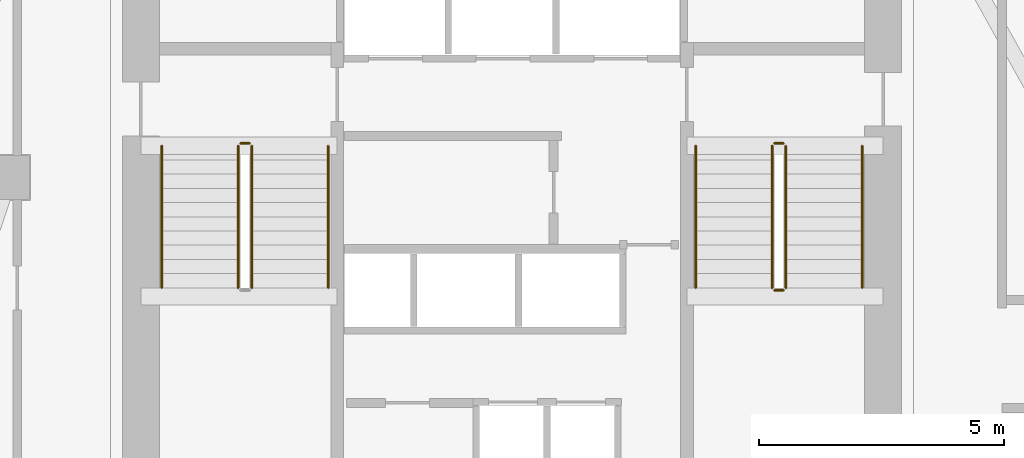
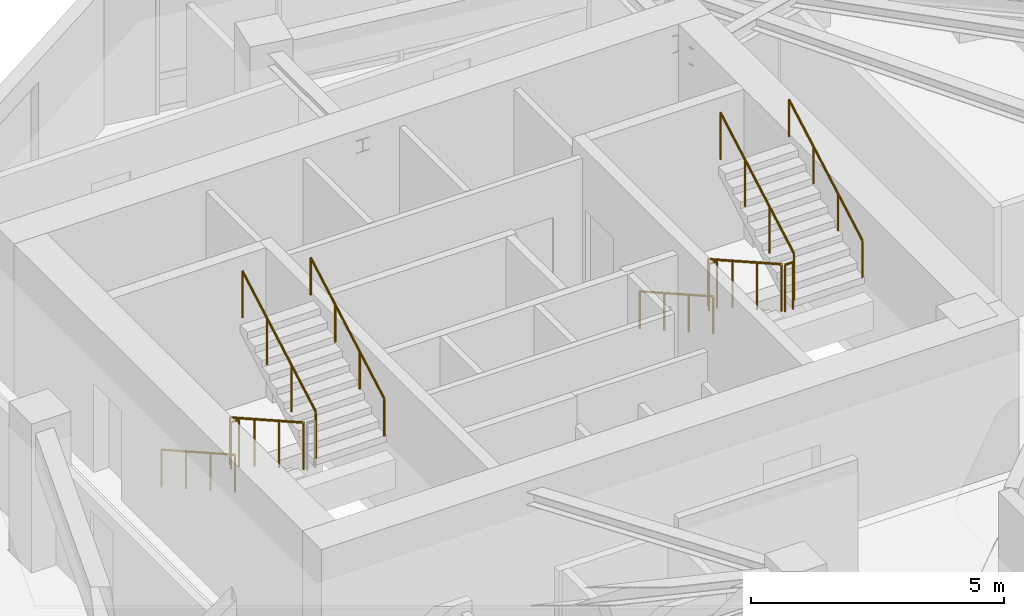
# One storey, part 10 of 10: 11 railings.
"""IFC4 building model written with IfcOpenShell, lengths in metres."""

from ifc_helpers import new_model, si_unit, direction, frame, origin, origin_2d, place, context, subcontext, project, spatial, circle, extrude, material, type_object, element, save


model = new_model("IFC4")

# Units and contexts
model_context = context("Model", 3, precision=1e-05, world=origin(), true_north=direction((0.0, 1.0)))
body_context = subcontext(model_context, "Body", "Model", "MODEL_VIEW")
ifc_project = project(units=[si_unit("LENGTHUNIT", "METRE"), si_unit("AREAUNIT", "SQUARE_METRE"), si_unit("VOLUMEUNIT", "CUBIC_METRE"), si_unit("PLANEANGLEUNIT", "RADIAN"), si_unit("MASSUNIT", "GRAM", prefix="KILO")], contexts=[model_context])

# Site, building, storey
site_placement = place(None, origin())
site = spatial("IfcSite", under=ifc_project, at=site_placement, CompositionType="ELEMENT")
building_placement = place(site_placement, origin())
building = spatial("IfcBuilding", under=site, at=building_placement, Name="Calvemar Wedge Station Tower", CompositionType="ELEMENT")
storey_placement = place(building_placement, frame((0.0, 0.0, 110.60009765625)))
storey = spatial("IfcBuildingStorey", under=building, at=storey_placement, Name="L26", CompositionType="ELEMENT", Elevation=110.60009765625)

# Railings
ifc_material_1 = material(Name="Stainless steel AISI 316L", Category="steel")
railing_type_1 = type_object("IfcRailingType", Name="RL-HANDRAIL-920", PredefinedType="HANDRAIL", material=ifc_material_1)
railing_1_placement = place(storey_placement, frame((16.64990234375, 41.14990234375, 0.16357421875)))
element("IfcRailing", 1, at=railing_1_placement, inside=storey, type_object=railing_type_1, Name="L26 ST-C1 stair handrail 1", PredefinedType="HANDRAIL", context=body_context, shape_type="SweptSolid", body=[
    extrude(circle(Radius=0.02392578125, at=origin_2d()), frame((0.0, 0.0, 0.89599609375), z_axis=(0.0, -0.870928581787, 0.491409610636), x_axis=(1.0, 0.0, 0.0)), (0.0, 0.0, 1.0), 3.32958984375),
    extrude(circle(Radius=0.02099609375, at=origin_2d()), origin(), (0.0, 0.0, 1.0), 0.871826171875),
    extrude(circle(Radius=0.02099609375, at=origin_2d()), frame((0.0, -0.966552734375, 0.54541015625)), (0.0, 0.0, 1.0), 0.871826171875),
    extrude(circle(Radius=0.02099609375, at=origin_2d()), frame((0.0, -1.933349609375, 1.0908203125)), (0.0, 0.0, 1.0), 0.871826171875),
    extrude(circle(Radius=0.02099609375, at=origin_2d()), frame((0.0, -2.89990234375, 1.63623046875)), (0.0, 0.0, 1.0), 0.871826171875),
])
railing_2_placement = place(storey_placement, frame((20.050048828125, 38.25, 1.963623046875)))
element("IfcRailing", 2, at=railing_2_placement, inside=storey, type_object=railing_type_1, Name="L26 ST-C1 stair handrail 2", PredefinedType="HANDRAIL", context=body_context, shape_type="SweptSolid", body=[
    extrude(circle(Radius=0.02392578125, at=origin_2d()), frame((0.0, 0.0, 0.89599609375), z_axis=(0.0, 0.870928581787, 0.491409610636), x_axis=(-1.0, 0.0, 0.0)), (0.0, 0.0, 1.0), 3.32958984375),
    extrude(circle(Radius=0.02099609375, at=origin_2d()), origin(), (0.0, 0.0, 1.0), 0.871826171875),
    extrude(circle(Radius=0.02099609375, at=origin_2d()), frame((0.0, 0.966552734375, 0.54541015625)), (0.0, 0.0, 1.0), 0.871826171875),
    extrude(circle(Radius=0.02099609375, at=origin_2d()), frame((0.0, 1.933349609375, 1.0908203125)), (0.0, 0.0, 1.0), 0.871826171875),
    extrude(circle(Radius=0.02099609375, at=origin_2d()), frame((0.0, 2.89990234375, 1.63623046875)), (0.0, 0.0, 1.0), 0.871826171875),
])
railing_3_placement = place(storey_placement, frame((27.550048828125, 41.14990234375, 0.16357421875)))
element("IfcRailing", 3, at=railing_3_placement, inside=storey, type_object=railing_type_1, Name="L26 ST-C2 stair handrail 1", PredefinedType="HANDRAIL", context=body_context, shape_type="SweptSolid", body=[
    extrude(circle(Radius=0.02392578125, at=origin_2d()), frame((0.0, 0.0, 0.89599609375), z_axis=(0.0, -0.870928581787, 0.491409610636), x_axis=(1.0, 0.0, 0.0)), (0.0, 0.0, 1.0), 3.32958984375),
    extrude(circle(Radius=0.02099609375, at=origin_2d()), origin(), (0.0, 0.0, 1.0), 0.871826171875),
    extrude(circle(Radius=0.02099609375, at=origin_2d()), frame((0.0, -0.966552734375, 0.54541015625)), (0.0, 0.0, 1.0), 0.871826171875),
    extrude(circle(Radius=0.02099609375, at=origin_2d()), frame((0.0, -1.933349609375, 1.0908203125)), (0.0, 0.0, 1.0), 0.871826171875),
    extrude(circle(Radius=0.02099609375, at=origin_2d()), frame((0.0, -2.89990234375, 1.63623046875)), (0.0, 0.0, 1.0), 0.871826171875),
])
railing_4_placement = place(storey_placement, frame((30.949951171875, 38.25, 1.963623046875)))
element("IfcRailing", 4, at=railing_4_placement, inside=storey, type_object=railing_type_1, Name="L26 ST-C2 stair handrail 2", PredefinedType="HANDRAIL", context=body_context, shape_type="SweptSolid", body=[
    extrude(circle(Radius=0.02392578125, at=origin_2d()), frame((0.0, 0.0, 0.89599609375), z_axis=(0.0, 0.870928581787, 0.491409610636), x_axis=(-1.0, 0.0, 0.0)), (0.0, 0.0, 1.0), 3.32958984375),
    extrude(circle(Radius=0.02099609375, at=origin_2d()), origin(), (0.0, 0.0, 1.0), 0.871826171875),
    extrude(circle(Radius=0.02099609375, at=origin_2d()), frame((0.0, 0.966552734375, 0.54541015625)), (0.0, 0.0, 1.0), 0.871826171875),
    extrude(circle(Radius=0.02099609375, at=origin_2d()), frame((0.0, 1.933349609375, 1.0908203125)), (0.0, 0.0, 1.0), 0.871826171875),
    extrude(circle(Radius=0.02099609375, at=origin_2d()), frame((0.0, 2.89990234375, 1.63623046875)), (0.0, 0.0, 1.0), 0.871826171875),
])
ifc_material_2 = material(Name="Painted steel guardrail ASTM A500 Grade C", Category="steel")
railing_type_2 = type_object("IfcRailingType", Name="RL-STAIR-GUARD-1150", PredefinedType="GUARDRAIL", material=ifc_material_2)
railing_5_placement = place(storey_placement, frame((18.2099609375, 41.14990234375, 0.16357421875)))
element("IfcRailing", 5, at=railing_5_placement, inside=storey, type_object=railing_type_2, Name="L26 ST-C1 stair guard 1", PredefinedType="GUARDRAIL", context=body_context, shape_type="SweptSolid", body=[
    extrude(circle(Radius=0.02392578125, at=origin_2d()), frame((0.0, 0.0, 1.1259765625), z_axis=(0.0, -0.870928581787, 0.491409610636), x_axis=(1.0, 0.0, 0.0)), (0.0, 0.0, 1.0), 3.32958984375),
    extrude(circle(Radius=0.02099609375, at=origin_2d()), origin(), (0.0, 0.0, 1.0), 1.101806640625),
    extrude(circle(Radius=0.02099609375, at=origin_2d()), frame((0.0, -0.966552734375, 0.54541015625)), (0.0, 0.0, 1.0), 1.101806640625),
    extrude(circle(Radius=0.02099609375, at=origin_2d()), frame((0.0, -1.933349609375, 1.0908203125)), (0.0, 0.0, 1.0), 1.101806640625),
    extrude(circle(Radius=0.02099609375, at=origin_2d()), frame((0.0, -2.89990234375, 1.63623046875)), (0.0, 0.0, 1.0), 1.101806640625),
])
railing_6_placement = place(storey_placement, frame((18.489990234375, 38.25, 1.963623046875)))
element("IfcRailing", 6, at=railing_6_placement, inside=storey, type_object=railing_type_2, Name="L26 ST-C1 stair guard 3", PredefinedType="GUARDRAIL", context=body_context, shape_type="SweptSolid", body=[
    extrude(circle(Radius=0.02392578125, at=origin_2d()), frame((0.0, 0.0, 1.1259765625), z_axis=(0.0, 0.870928581787, 0.491409610636), x_axis=(-1.0, 0.0, 0.0)), (0.0, 0.0, 1.0), 3.32958984375),
    extrude(circle(Radius=0.02099609375, at=origin_2d()), origin(), (0.0, 0.0, 1.0), 1.101806640625),
    extrude(circle(Radius=0.02099609375, at=origin_2d()), frame((0.0, 0.966552734375, 0.54541015625)), (0.0, 0.0, 1.0), 1.101806640625),
    extrude(circle(Radius=0.02099609375, at=origin_2d()), frame((0.0, 1.933349609375, 1.0908203125)), (0.0, 0.0, 1.0), 1.101806640625),
    extrude(circle(Radius=0.02099609375, at=origin_2d()), frame((0.0, 2.89990234375, 1.63623046875)), (0.0, 0.0, 1.0), 1.101806640625),
])
railing_7_placement = place(storey_placement, frame((18.260009765625, 41.199951171875, 0.0)))
element("IfcRailing", 7, at=railing_7_placement, inside=storey, type_object=railing_type_2, Name="L26 ST-C1 stair guard 4", PredefinedType="GUARDRAIL", context=body_context, shape_type="SweptSolid", body=[
    extrude(circle(Radius=0.02392578125, at=origin_2d()), frame((0.0, 0.0, 1.1259765625), z_axis=(1.0, 0.0, 0.0), x_axis=(0.0, 1.0, 0.0)), (0.0, 0.0, 1.0), 0.179931640625),
    extrude(circle(Radius=0.02099609375, at=origin_2d()), origin(), (0.0, 0.0, 1.0), 1.101806640625),
    extrude(circle(Radius=0.02099609375, at=origin_2d()), frame((0.179931640625, 0.0, 0.0)), (0.0, 0.0, 1.0), 1.101806640625),
])
railing_8_placement = place(storey_placement, frame((29.110107421875, 41.14990234375, 0.16357421875)))
element("IfcRailing", 8, at=railing_8_placement, inside=storey, type_object=railing_type_2, Name="L26 ST-C2 stair guard 1", PredefinedType="GUARDRAIL", context=body_context, shape_type="SweptSolid", body=[
    extrude(circle(Radius=0.02392578125, at=origin_2d()), frame((0.0, 0.0, 1.1259765625), z_axis=(0.0, -0.870928581787, 0.491409610636), x_axis=(1.0, 0.0, 0.0)), (0.0, 0.0, 1.0), 3.32958984375),
    extrude(circle(Radius=0.02099609375, at=origin_2d()), origin(), (0.0, 0.0, 1.0), 1.101806640625),
    extrude(circle(Radius=0.02099609375, at=origin_2d()), frame((0.0, -0.966552734375, 0.54541015625)), (0.0, 0.0, 1.0), 1.101806640625),
    extrude(circle(Radius=0.02099609375, at=origin_2d()), frame((0.0, -1.933349609375, 1.0908203125)), (0.0, 0.0, 1.0), 1.101806640625),
    extrude(circle(Radius=0.02099609375, at=origin_2d()), frame((0.0, -2.89990234375, 1.63623046875)), (0.0, 0.0, 1.0), 1.101806640625),
])
railing_9_placement = place(storey_placement, frame((29.159912109375, 38.199951171875, 1.7998046875)))
element("IfcRailing", 9, at=railing_9_placement, inside=storey, type_object=railing_type_2, Name="L26 ST-C2 stair guard 2", PredefinedType="GUARDRAIL", context=body_context, shape_type="SweptSolid", body=[
    extrude(circle(Radius=0.02392578125, at=origin_2d()), frame((0.0, 0.0, 1.1259765625), z_axis=(1.0, 0.0, 0.0), x_axis=(0.0, 1.0, 0.0)), (0.0, 0.0, 1.0), 0.18017578125),
    extrude(circle(Radius=0.02099609375, at=origin_2d()), origin(), (0.0, 0.0, 1.0), 1.101806640625),
    extrude(circle(Radius=0.02099609375, at=origin_2d()), frame((0.18017578125, 0.0, 0.0)), (0.0, 0.0, 1.0), 1.101806640625),
])
railing_10_placement = place(storey_placement, frame((29.389892578125, 38.25, 1.963623046875)))
element("IfcRailing", 10, at=railing_10_placement, inside=storey, type_object=railing_type_2, Name="L26 ST-C2 stair guard 3", PredefinedType="GUARDRAIL", context=body_context, shape_type="SweptSolid", body=[
    extrude(circle(Radius=0.02392578125, at=origin_2d()), frame((0.0, 0.0, 1.1259765625), z_axis=(0.0, 0.870928581787, 0.491409610636), x_axis=(-1.0, 0.0, 0.0)), (0.0, 0.0, 1.0), 3.32958984375),
    extrude(circle(Radius=0.02099609375, at=origin_2d()), origin(), (0.0, 0.0, 1.0), 1.101806640625),
    extrude(circle(Radius=0.02099609375, at=origin_2d()), frame((0.0, 0.966552734375, 0.54541015625)), (0.0, 0.0, 1.0), 1.101806640625),
    extrude(circle(Radius=0.02099609375, at=origin_2d()), frame((0.0, 1.933349609375, 1.0908203125)), (0.0, 0.0, 1.0), 1.101806640625),
    extrude(circle(Radius=0.02099609375, at=origin_2d()), frame((0.0, 2.89990234375, 1.63623046875)), (0.0, 0.0, 1.0), 1.101806640625),
])
railing_11_placement = place(storey_placement, frame((29.159912109375, 41.199951171875, 0.0)))
element("IfcRailing", 11, at=railing_11_placement, inside=storey, type_object=railing_type_2, Name="L26 ST-C2 stair guard 4", PredefinedType="GUARDRAIL", context=body_context, shape_type="SweptSolid", body=[
    extrude(circle(Radius=0.02392578125, at=origin_2d()), frame((0.0, 0.0, 1.1259765625), z_axis=(1.0, 0.0, 0.0), x_axis=(0.0, 1.0, 0.0)), (0.0, 0.0, 1.0), 0.18017578125),
    extrude(circle(Radius=0.02099609375, at=origin_2d()), origin(), (0.0, 0.0, 1.0), 1.101806640625),
    extrude(circle(Radius=0.02099609375, at=origin_2d()), frame((0.18017578125, 0.0, 0.0)), (0.0, 0.0, 1.0), 1.101806640625),
])

save(model, "model.ifc")
